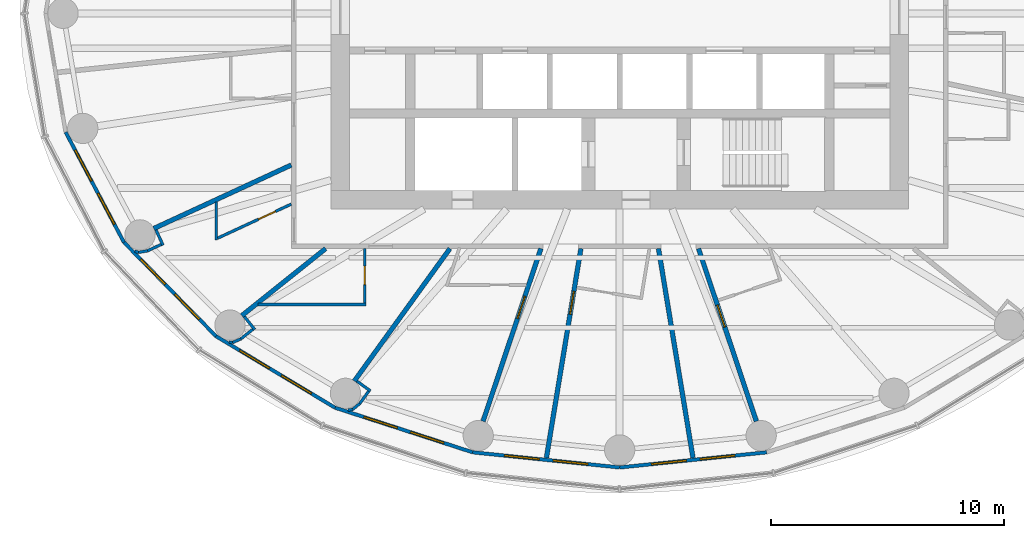
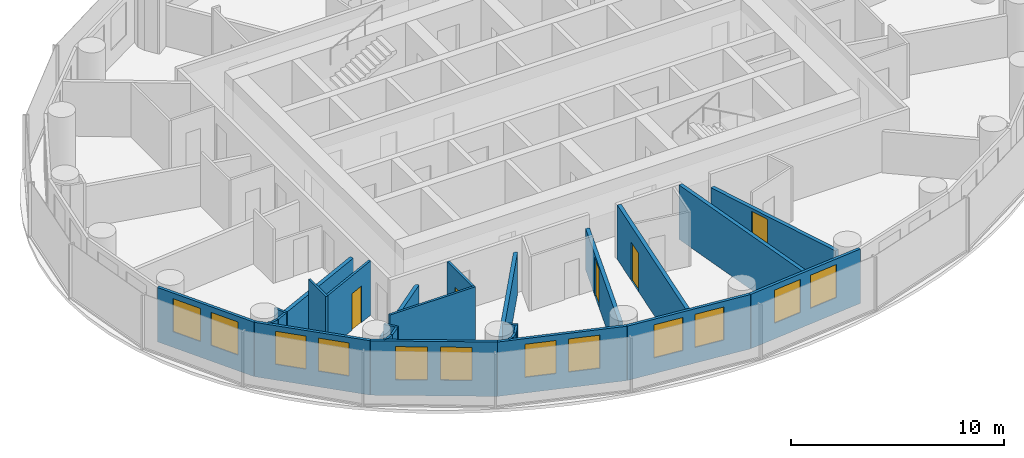
# One storey, part 6 of 14: 29 walls, 12 windows, 5 doors, 17 openings.
"""IFC4 building model written with IfcOpenShell, lengths in metres."""

from ifc_helpers import new_model, si_unit, direction, frame, frame_2d, origin, place, context, subcontext, project, spatial, rectangle, extrude, material, layer, layer_set, type_object, element, fill, save


model = new_model("IFC4")

# Units and contexts
model_context = context("Model", 3, precision=1e-05, world=origin(), true_north=direction((0.0, 1.0)))
body_context = subcontext(model_context, "Body", "Model", "MODEL_VIEW")
ifc_project = project(units=[si_unit("LENGTHUNIT", "METRE"), si_unit("AREAUNIT", "SQUARE_METRE"), si_unit("VOLUMEUNIT", "CUBIC_METRE"), si_unit("PLANEANGLEUNIT", "RADIAN"), si_unit("MASSUNIT", "GRAM", prefix="KILO")], contexts=[model_context])

# Site, building, storey
site_placement = place(None, origin())
site = spatial("IfcSite", under=ifc_project, at=site_placement, CompositionType="ELEMENT")
building_placement = place(site_placement, origin())
building = spatial("IfcBuilding", under=site, at=building_placement, Name="Hankou Lantern Tower", CompositionType="ELEMENT")
storey_placement = place(building_placement, frame((0.0, 0.0, 112.199951171875)))
storey = spatial("IfcBuildingStorey", under=building, at=storey_placement, Name="L28", CompositionType="ELEMENT", Elevation=112.199951171875)

# Wall, openings, windows
ifc_material_1 = material(Name="Aluminium spandrel panel on steel studs", Category="steel")
ifc_layer_1 = layer(ifc_material_1, 0.14990234375)
ifc_layer_set_1 = layer_set([ifc_layer_1], Name="Aluminium spandrel panel on steel studs")
wall_type_1 = type_object("IfcWallType", Name="EW1 INNER SKIN WALL 150", PredefinedType="ELEMENTEDWALL", material=ifc_layer_set_1)
wall_1_placement = place(storey_placement, frame((-23.7919921875, -5.10009765625, 0.0), z_axis=(0.0, 0.0, 1.0), x_axis=(0.467814388454, -0.883826735257, 0.0)))
wall_1 = element("IfcWall", 1, at=wall_1_placement, inside=storey, type_object=wall_type_1, Name="Inner skin R14-R15 L28", PredefinedType="ELEMENTEDWALL", context=body_context, shape_type="SweptSolid", body=[
    extrude(rectangle(XDim=5.35400390625, YDim=0.14990234375, at=frame_2d((2.677001953125, 0.0))), origin(), (0.0, 0.0, 1.0), 3.1201171875),
])
opening_1_placement = place(wall_1_placement, frame((0.876953125, 0.0, 0.89990234375)))
opening_1 = element("IfcOpeningElement", 2, at=opening_1_placement, cuts=wall_1, Name="Opening W2", PredefinedType="OPENING", context=body_context, shape_type="SweptSolid", body=[
    extrude(rectangle(XDim=1.5, YDim=1.89990234375, at=frame_2d((0.75, 0.949951171875))), frame((0.0, 0.0849609375, 0.0), z_axis=(0.0, -1.0, 0.0), x_axis=(1.0, 0.0, 0.0)), (0.0, 0.0, 1.0), 0.169921875),
])
opening_2_placement = place(wall_1_placement, frame((2.97705078125, 0.0, 0.89990234375)))
opening_2 = element("IfcOpeningElement", 3, at=opening_2_placement, cuts=wall_1, Name="Opening W2", PredefinedType="OPENING", context=body_context, shape_type="SweptSolid", body=[
    extrude(rectangle(XDim=1.5, YDim=1.89990234375, at=frame_2d((0.75, 0.949951171875))), frame((0.0, 0.0849609375, 0.0), z_axis=(0.0, -1.0, 0.0), x_axis=(1.0, 0.0, 0.0)), (0.0, 0.0, 1.0), 0.169921875),
])
ifc_material_2 = material(Name="Aluminium framed double glazed window", Category="aluminium")
window_type = type_object("IfcWindowType", Name="W2 GUEST ROOM WINDOW 1500X1900", PartitioningType="DOUBLE_PANEL_VERTICAL", PredefinedType="WINDOW", material=ifc_material_2)
window_1_placement = place(opening_1_placement, origin())
window_1 = element("IfcWindow", 4, at=window_1_placement, inside=storey, type_object=window_type, Name="Window R14.1 L28", OverallHeight=1.89990234375, OverallWidth=1.5, PartitioningType="SINGLE_PANEL", PredefinedType="WINDOW", context=body_context, shape_type="SweptSolid", body=[
    extrude(rectangle(XDim=1.5, YDim=1.89990234375, at=frame_2d((0.75, 0.949951171875))), frame((0.0, 0.030029296875, 0.0), z_axis=(0.0, -1.0, 0.0), x_axis=(1.0, 0.0, 0.0)), (0.0, 0.0, 1.0), 0.06005859375),
])
fill(opening_1, window_1)
window_2_placement = place(opening_2_placement, origin())
window_2 = element("IfcWindow", 5, at=window_2_placement, inside=storey, type_object=window_type, Name="Window R14.2 L28", OverallHeight=1.89990234375, OverallWidth=1.5, PartitioningType="SINGLE_PANEL", PredefinedType="WINDOW", context=body_context, shape_type="SweptSolid", body=[
    extrude(rectangle(XDim=1.5, YDim=1.89990234375, at=frame_2d((0.75, 0.949951171875))), frame((0.0, 0.030029296875, 0.0), z_axis=(0.0, -1.0, 0.0), x_axis=(1.0, 0.0, 0.0)), (0.0, 0.0, 1.0), 0.06005859375),
])
fill(opening_2, window_2)

wall_2_placement = place(storey_placement, frame((-21.287353515625, -9.83203125, 0.0), z_axis=(0.0, 0.0, 1.0), x_axis=(0.700136650834, -0.714008872605, 0.0)))
wall_2 = element("IfcWall", 6, at=wall_2_placement, inside=storey, type_object=wall_type_1, Name="Inner skin R15-R16 L28", PredefinedType="ELEMENTEDWALL", context=body_context, shape_type="SweptSolid", body=[
    extrude(rectangle(XDim=5.6494140625, YDim=0.14990234375, at=frame_2d((2.82470703125, 0.0))), origin(), (0.0, 0.0, 1.0), 3.1201171875),
])
opening_3_placement = place(wall_2_placement, frame((1.024658203125, 0.0, 0.89990234375)))
opening_3 = element("IfcOpeningElement", 7, at=opening_3_placement, cuts=wall_2, Name="Opening W2", PredefinedType="OPENING", context=body_context, shape_type="SweptSolid", body=[
    extrude(rectangle(XDim=1.5, YDim=1.89990234375, at=frame_2d((0.75, 0.949951171875))), frame((0.0, 0.0849609375, 0.0), z_axis=(0.0, -1.0, 0.0), x_axis=(1.0, 0.0, 0.0)), (0.0, 0.0, 1.0), 0.169921875),
])
opening_4_placement = place(wall_2_placement, frame((3.12451171875, 0.0, 0.89990234375)))
opening_4 = element("IfcOpeningElement", 8, at=opening_4_placement, cuts=wall_2, Name="Opening W2", PredefinedType="OPENING", context=body_context, shape_type="SweptSolid", body=[
    extrude(rectangle(XDim=1.5, YDim=1.89990234375, at=frame_2d((0.75, 0.949951171875))), frame((0.0, 0.0849609375, 0.0), z_axis=(0.0, -1.0, 0.0), x_axis=(1.0, 0.0, 0.0)), (0.0, 0.0, 1.0), 0.169921875),
])
window_3_placement = place(opening_3_placement, origin())
window_3 = element("IfcWindow", 9, at=window_3_placement, inside=storey, type_object=window_type, Name="Window R15.1 L28", OverallHeight=1.89990234375, OverallWidth=1.5, PartitioningType="SINGLE_PANEL", PredefinedType="WINDOW", context=body_context, shape_type="SweptSolid", body=[
    extrude(rectangle(XDim=1.5, YDim=1.89990234375, at=frame_2d((0.75, 0.949951171875))), frame((0.0, 0.030029296875, 0.0), z_axis=(0.0, -1.0, 0.0), x_axis=(1.0, 0.0, 0.0)), (0.0, 0.0, 1.0), 0.06005859375),
])
fill(opening_3, window_3)
window_4_placement = place(opening_4_placement, origin())
window_4 = element("IfcWindow", 10, at=window_4_placement, inside=storey, type_object=window_type, Name="Window R15.2 L28", OverallHeight=1.89990234375, OverallWidth=1.5, PartitioningType="SINGLE_PANEL", PredefinedType="WINDOW", context=body_context, shape_type="SweptSolid", body=[
    extrude(rectangle(XDim=1.5, YDim=1.89990234375, at=frame_2d((0.75, 0.949951171875))), frame((0.0, 0.030029296875, 0.0), z_axis=(0.0, -1.0, 0.0), x_axis=(1.0, 0.0, 0.0)), (0.0, 0.0, 1.0), 0.06005859375),
])
fill(opening_4, window_4)

wall_3_placement = place(storey_placement, frame((-17.33203125, -13.86572265625, 0.0), z_axis=(0.0, 0.0, 1.0), x_axis=(0.857308573723, -0.514802884044, 0.0)))
wall_3 = element("IfcWall", 11, at=wall_3_placement, inside=storey, type_object=wall_type_1, Name="Inner skin R16-R17 L28", PredefinedType="ELEMENTEDWALL", context=body_context, shape_type="SweptSolid", body=[
    extrude(rectangle(XDim=5.961181640625, YDim=0.14990234375, at=frame_2d((2.98046875, 0.0))), origin(), (0.0, 0.0, 1.0), 3.1201171875),
])
opening_5_placement = place(wall_3_placement, frame((1.1806640625, 0.0, 0.89990234375)))
opening_5 = element("IfcOpeningElement", 12, at=opening_5_placement, cuts=wall_3, Name="Opening W2", PredefinedType="OPENING", context=body_context, shape_type="SweptSolid", body=[
    extrude(rectangle(XDim=1.5, YDim=1.89990234375, at=frame_2d((0.75, 0.949951171875))), frame((0.0, 0.0849609375, 0.0), z_axis=(0.0, -1.0, 0.0), x_axis=(1.0, 0.0, 0.0)), (0.0, 0.0, 1.0), 0.169921875),
])
opening_6_placement = place(wall_3_placement, frame((3.280517578125, 0.0, 0.89990234375)))
opening_6 = element("IfcOpeningElement", 13, at=opening_6_placement, cuts=wall_3, Name="Opening W2", PredefinedType="OPENING", context=body_context, shape_type="SweptSolid", body=[
    extrude(rectangle(XDim=1.5, YDim=1.89990234375, at=frame_2d((0.75, 0.949951171875))), frame((0.0, 0.0849609375, 0.0), z_axis=(0.0, -1.0, 0.0), x_axis=(1.0, 0.0, 0.0)), (0.0, 0.0, 1.0), 0.169921875),
])
window_5_placement = place(opening_5_placement, origin())
window_5 = element("IfcWindow", 14, at=window_5_placement, inside=storey, type_object=window_type, Name="Window R16.1 L28", OverallHeight=1.89990234375, OverallWidth=1.5, PartitioningType="SINGLE_PANEL", PredefinedType="WINDOW", context=body_context, shape_type="SweptSolid", body=[
    extrude(rectangle(XDim=1.5, YDim=1.89990234375, at=frame_2d((0.75, 0.949951171875))), frame((0.0, 0.030029296875, 0.0), z_axis=(0.0, -1.0, 0.0), x_axis=(1.0, 0.0, 0.0)), (0.0, 0.0, 1.0), 0.06005859375),
])
fill(opening_5, window_5)
window_6_placement = place(opening_6_placement, origin())
window_6 = element("IfcWindow", 15, at=window_6_placement, inside=storey, type_object=window_type, Name="Window R16.2 L28", OverallHeight=1.89990234375, OverallWidth=1.5, PartitioningType="SINGLE_PANEL", PredefinedType="WINDOW", context=body_context, shape_type="SweptSolid", body=[
    extrude(rectangle(XDim=1.5, YDim=1.89990234375, at=frame_2d((0.75, 0.949951171875))), frame((0.0, 0.030029296875, 0.0), z_axis=(0.0, -1.0, 0.0), x_axis=(1.0, 0.0, 0.0)), (0.0, 0.0, 1.0), 0.06005859375),
])
fill(opening_6, window_6)

wall_4_placement = place(storey_placement, frame((-12.221435546875, -16.9345703125, 0.0), z_axis=(0.0, 0.0, 1.0), x_axis=(0.951272691506, -0.308350881944, 0.0)))
wall_4 = element("IfcWall", 16, at=wall_4_placement, inside=storey, type_object=wall_type_1, Name="Inner skin R17-R18 L28", PredefinedType="ELEMENTEDWALL", context=body_context, shape_type="SweptSolid", body=[
    extrude(rectangle(XDim=6.210693359375, YDim=0.14990234375, at=frame_2d((3.10546875, 0.0))), origin(), (0.0, 0.0, 1.0), 3.1201171875),
])
opening_7_placement = place(wall_4_placement, frame((1.305419921875, 0.0, 0.89990234375)))
opening_7 = element("IfcOpeningElement", 17, at=opening_7_placement, cuts=wall_4, Name="Opening W2", PredefinedType="OPENING", context=body_context, shape_type="SweptSolid", body=[
    extrude(rectangle(XDim=1.5, YDim=1.89990234375, at=frame_2d((0.75, 0.949951171875))), frame((0.0, 0.0849609375, 0.0), z_axis=(0.0, -1.0, 0.0), x_axis=(1.0, 0.0, 0.0)), (0.0, 0.0, 1.0), 0.169921875),
])
opening_8_placement = place(wall_4_placement, frame((3.4052734375, 0.0, 0.89990234375)))
opening_8 = element("IfcOpeningElement", 18, at=opening_8_placement, cuts=wall_4, Name="Opening W2", PredefinedType="OPENING", context=body_context, shape_type="SweptSolid", body=[
    extrude(rectangle(XDim=1.5, YDim=1.89990234375, at=frame_2d((0.75, 0.949951171875))), frame((0.0, 0.0849609375, 0.0), z_axis=(0.0, -1.0, 0.0), x_axis=(1.0, 0.0, 0.0)), (0.0, 0.0, 1.0), 0.169921875),
])
window_7_placement = place(opening_7_placement, origin())
window_7 = element("IfcWindow", 19, at=window_7_placement, inside=storey, type_object=window_type, Name="Window R17.1 L28", OverallHeight=1.89990234375, OverallWidth=1.5, PartitioningType="SINGLE_PANEL", PredefinedType="WINDOW", context=body_context, shape_type="SweptSolid", body=[
    extrude(rectangle(XDim=1.5, YDim=1.89990234375, at=frame_2d((0.75, 0.949951171875))), frame((0.0, 0.030029296875, 0.0), z_axis=(0.0, -1.0, 0.0), x_axis=(1.0, 0.0, 0.0)), (0.0, 0.0, 1.0), 0.06005859375),
])
fill(opening_7, window_7)
window_8_placement = place(opening_8_placement, origin())
window_8 = element("IfcWindow", 20, at=window_8_placement, inside=storey, type_object=window_type, Name="Window R17.2 L28", OverallHeight=1.89990234375, OverallWidth=1.5, PartitioningType="SINGLE_PANEL", PredefinedType="WINDOW", context=body_context, shape_type="SweptSolid", body=[
    extrude(rectangle(XDim=1.5, YDim=1.89990234375, at=frame_2d((0.75, 0.949951171875))), frame((0.0, 0.030029296875, 0.0), z_axis=(0.0, -1.0, 0.0), x_axis=(1.0, 0.0, 0.0)), (0.0, 0.0, 1.0), 0.06005859375),
])
fill(opening_8, window_8)

wall_5_placement = place(storey_placement, frame((-6.3134765625, -18.849609375, 0.0), z_axis=(0.0, 0.0, 1.0), x_axis=(0.994735690163, -0.102473931887, 0.0)))
wall_5 = element("IfcWall", 21, at=wall_5_placement, inside=storey, type_object=wall_type_1, Name="Inner skin R18-R19 L28", PredefinedType="ELEMENTEDWALL", context=body_context, shape_type="SweptSolid", body=[
    extrude(rectangle(XDim=6.346923828125, YDim=0.14990234375, at=frame_2d((3.17333984375, 0.0))), origin(), (0.0, 0.0, 1.0), 3.1201171875),
])
opening_9_placement = place(wall_5_placement, frame((1.373291015625, 0.0, 0.89990234375)))
opening_9 = element("IfcOpeningElement", 22, at=opening_9_placement, cuts=wall_5, Name="Opening W2", PredefinedType="OPENING", context=body_context, shape_type="SweptSolid", body=[
    extrude(rectangle(XDim=1.5, YDim=1.89990234375, at=frame_2d((0.75, 0.949951171875))), frame((0.0, 0.0849609375, 0.0), z_axis=(0.0, -1.0, 0.0), x_axis=(1.0, 0.0, 0.0)), (0.0, 0.0, 1.0), 0.169921875),
])
opening_10_placement = place(wall_5_placement, frame((3.473388671875, 0.0, 0.89990234375)))
opening_10 = element("IfcOpeningElement", 23, at=opening_10_placement, cuts=wall_5, Name="Opening W2", PredefinedType="OPENING", context=body_context, shape_type="SweptSolid", body=[
    extrude(rectangle(XDim=1.5, YDim=1.89990234375, at=frame_2d((0.75, 0.949951171875))), frame((0.0, 0.0849609375, 0.0), z_axis=(0.0, -1.0, 0.0), x_axis=(1.0, 0.0, 0.0)), (0.0, 0.0, 1.0), 0.169921875),
])
window_9_placement = place(opening_9_placement, origin())
window_9 = element("IfcWindow", 24, at=window_9_placement, inside=storey, type_object=window_type, Name="Window R18.1 L28", OverallHeight=1.89990234375, OverallWidth=1.5, PartitioningType="SINGLE_PANEL", PredefinedType="WINDOW", context=body_context, shape_type="SweptSolid", body=[
    extrude(rectangle(XDim=1.5, YDim=1.89990234375, at=frame_2d((0.75, 0.949951171875))), frame((0.0, 0.030029296875, 0.0), z_axis=(0.0, -1.0, 0.0), x_axis=(1.0, 0.0, 0.0)), (0.0, 0.0, 1.0), 0.06005859375),
])
fill(opening_9, window_9)
window_10_placement = place(opening_10_placement, origin())
window_10 = element("IfcWindow", 25, at=window_10_placement, inside=storey, type_object=window_type, Name="Window R18.2 L28", OverallHeight=1.89990234375, OverallWidth=1.5, PartitioningType="SINGLE_PANEL", PredefinedType="WINDOW", context=body_context, shape_type="SweptSolid", body=[
    extrude(rectangle(XDim=1.5, YDim=1.89990234375, at=frame_2d((0.75, 0.949951171875))), frame((0.0, 0.030029296875, 0.0), z_axis=(0.0, -1.0, 0.0), x_axis=(1.0, 0.0, 0.0)), (0.0, 0.0, 1.0), 0.06005859375),
])
fill(opening_10, window_10)

wall_6_placement = place(storey_placement, frame((0.0, -19.5, 0.0), z_axis=(0.0, 0.0, 1.0), x_axis=(0.994735690163, 0.102473931887, 0.0)))
wall_6 = element("IfcWall", 26, at=wall_6_placement, inside=storey, type_object=wall_type_1, Name="Inner skin R19-R20 L28", PredefinedType="ELEMENTEDWALL", context=body_context, shape_type="SweptSolid", body=[
    extrude(rectangle(XDim=6.346923828125, YDim=0.14990234375, at=frame_2d((3.17333984375, 0.0))), origin(), (0.0, 0.0, 1.0), 3.1201171875),
])
opening_11_placement = place(wall_6_placement, frame((1.373291015625, 0.0, 0.89990234375)))
opening_11 = element("IfcOpeningElement", 27, at=opening_11_placement, cuts=wall_6, Name="Opening W2", PredefinedType="OPENING", context=body_context, shape_type="SweptSolid", body=[
    extrude(rectangle(XDim=1.5, YDim=1.89990234375, at=frame_2d((0.75, 0.949951171875))), frame((0.0, 0.0849609375, 0.0), z_axis=(0.0, -1.0, 0.0), x_axis=(1.0, 0.0, 0.0)), (0.0, 0.0, 1.0), 0.169921875),
])
opening_12_placement = place(wall_6_placement, frame((3.473388671875, 0.0, 0.89990234375)))
opening_12 = element("IfcOpeningElement", 28, at=opening_12_placement, cuts=wall_6, Name="Opening W2", PredefinedType="OPENING", context=body_context, shape_type="SweptSolid", body=[
    extrude(rectangle(XDim=1.5, YDim=1.89990234375, at=frame_2d((0.75, 0.949951171875))), frame((0.0, 0.0849609375, 0.0), z_axis=(0.0, -1.0, 0.0), x_axis=(1.0, 0.0, 0.0)), (0.0, 0.0, 1.0), 0.169921875),
])
window_11_placement = place(opening_11_placement, origin())
window_11 = element("IfcWindow", 29, at=window_11_placement, inside=storey, type_object=window_type, Name="Window R19.1 L28", OverallHeight=1.89990234375, OverallWidth=1.5, PartitioningType="SINGLE_PANEL", PredefinedType="WINDOW", context=body_context, shape_type="SweptSolid", body=[
    extrude(rectangle(XDim=1.5, YDim=1.89990234375, at=frame_2d((0.75, 0.949951171875))), frame((0.0, 0.030029296875, 0.0), z_axis=(0.0, -1.0, 0.0), x_axis=(1.0, 0.0, 0.0)), (0.0, 0.0, 1.0), 0.06005859375),
])
fill(opening_11, window_11)
window_12_placement = place(opening_12_placement, origin())
window_12 = element("IfcWindow", 30, at=window_12_placement, inside=storey, type_object=window_type, Name="Window R19.2 L28", OverallHeight=1.89990234375, OverallWidth=1.5, PartitioningType="SINGLE_PANEL", PredefinedType="WINDOW", context=body_context, shape_type="SweptSolid", body=[
    extrude(rectangle(XDim=1.5, YDim=1.89990234375, at=frame_2d((0.75, 0.949951171875))), frame((0.0, 0.030029296875, 0.0), z_axis=(0.0, -1.0, 0.0), x_axis=(1.0, 0.0, 0.0)), (0.0, 0.0, 1.0), 0.06005859375),
])
fill(opening_12, window_12)

# Walls
ifc_material_3 = material(Name="Masonry lightweight concrete block", Category="masonry")
ifc_layer_2 = layer(ifc_material_3, 0.199951171875)
ifc_layer_set_2 = layer_set([ifc_layer_2], Name="Masonry lightweight concrete block")
wall_type_2 = type_object("IfcWallType", Name="IW1 GUEST ROOM PARTY WALL 200", PredefinedType="PARTITIONING", material=ifc_layer_set_2)
wall_7_placement = place(storey_placement, frame((-14.10009765625, -6.512451171875, 0.0), z_axis=(0.0, 0.0, 1.0), x_axis=(-0.907833019998, -0.419331858797, 0.0)))
element("IfcWall", 31, at=wall_7_placement, inside=storey, type_object=wall_type_2, Name="Party wall R15", PredefinedType="PARTITIONING", context=body_context, shape_type="SweptSolid", body=[
    extrude(rectangle(XDim=6.505126953125, YDim=0.199951171875, at=frame_2d((3.25244140625, 0.0))), origin(), (0.0, 0.0, 1.0), 2.27001953125),
])
wall_8_placement = place(storey_placement, frame((-12.625, -10.10009765625, 0.0), z_axis=(0.0, 0.0, 1.0), x_axis=(-0.780863644897, -0.624701503182, 0.0)))
element("IfcWall", 32, at=wall_8_placement, inside=storey, type_object=wall_type_2, Name="Party wall R16", PredefinedType="PARTITIONING", context=body_context, shape_type="SweptSolid", body=[
    extrude(rectangle(XDim=4.612060546875, YDim=0.199951171875, at=frame_2d((2.30615234375, 0.0))), origin(), (0.0, 0.0, 1.0), 2.3701171875),
])
wall_9_placement = place(storey_placement, frame((-7.2890625, -10.10009765625, 0.0), z_axis=(0.0, 0.0, 1.0), x_axis=(-0.585217367024, -0.81087645997, 0.0)))
element("IfcWall", 33, at=wall_9_placement, inside=storey, type_object=wall_type_2, Name="Party wall R17", PredefinedType="PARTITIONING", context=body_context, shape_type="SweptSolid", body=[
    extrude(rectangle(XDim=7.01611328125, YDim=0.199951171875, at=frame_2d((3.508056640625, 0.0))), origin(), (0.0, 0.0, 1.0), 2.3701171875),
])

# Wall, opening, door
ifc_material_4 = material(Name="Masonry lightweight concrete block", Category="masonry")
ifc_layer_3 = layer(ifc_material_4, 0.199951171875)
ifc_layer_set_3 = layer_set([ifc_layer_3], Name="Masonry lightweight concrete block")
wall_type_3 = type_object("IfcWallType", Name="IW2 CORRIDOR WALL 200", PredefinedType="PARTITIONING", material=ifc_layer_set_3)
wall_10_placement = place(storey_placement, frame((-3.3828125, -10.10009765625, 0.0), z_axis=(0.0, 0.0, 1.0), x_axis=(-0.317603705574, -0.948223542318, 0.0)))
wall_10 = element("IfcWall", 34, at=wall_10_placement, inside=storey, type_object=wall_type_3, Name="Corridor spur wall R18", PredefinedType="PARTITIONING", context=body_context, shape_type="SweptSolid", body=[
    extrude(rectangle(XDim=7.822998046875, YDim=0.199951171875, at=frame_2d((3.91162109375, 0.0))), origin(), (0.0, 0.0, 1.0), 2.3701171875),
])
opening_13_placement = place(wall_10_placement, frame((2.168212890625, 0.0, 0.0)))
opening_13 = element("IfcOpeningElement", 35, at=opening_13_placement, cuts=wall_10, Name="Opening D1", PredefinedType="OPENING", context=body_context, shape_type="SweptSolid", body=[
    extrude(rectangle(XDim=1.0, YDim=2.199951171875, at=frame_2d((0.5, 1.10009765625))), frame((0.0, 0.10986328125, 0.0), z_axis=(0.0, -1.0, 0.0), x_axis=(1.0, 0.0, 0.0)), (0.0, 0.0, 1.0), 0.219970703125),
])
ifc_material_5 = material(Name="Steel door leaf", Category="steel")
door_type_1 = type_object("IfcDoorType", Name="D1 GUEST ROOM DOOR 1000X2200", OperationType="SINGLE_SWING_LEFT", PredefinedType="DOOR", material=ifc_material_5)
door_1_placement = place(opening_13_placement, origin())
door_1 = element("IfcDoor", 36, at=door_1_placement, inside=storey, type_object=door_type_1, Name="Guest room door 2811", OperationType="SINGLE_SWING_LEFT", OverallHeight=2.199951171875, OverallWidth=1.0, PredefinedType="DOOR", context=body_context, shape_type="SweptSolid", body=[
    extrude(rectangle(XDim=1.0, YDim=2.199951171875, at=frame_2d((0.5, 1.10009765625))), frame((0.0, 0.02490234375, 0.0), z_axis=(0.0, -1.0, 0.0), x_axis=(1.0, 0.0, 0.0)), (0.0, 0.0, 1.0), 0.050048828125),
])
fill(opening_13, door_1)

wall_11_placement = place(storey_placement, frame((-1.665283203125, -10.10009765625, 0.0), z_axis=(0.0, 0.0, 1.0), x_axis=(-0.162660519103, -0.986682094459, 0.0)))
wall_11 = element("IfcWall", 37, at=wall_11_placement, inside=storey, type_object=wall_type_3, Name="Corridor spur wall R18-R19", PredefinedType="PARTITIONING", context=body_context, shape_type="SweptSolid", body=[
    extrude(rectangle(XDim=9.110595703125, YDim=0.199951171875, at=frame_2d((4.55517578125, 0.0))), origin(), (0.0, 0.0, 1.0), 3.1201171875),
])
opening_14_placement = place(wall_11_placement, frame((1.860107421875, 0.0, 0.0)))
opening_14 = element("IfcOpeningElement", 38, at=opening_14_placement, cuts=wall_11, Name="Opening D1", PredefinedType="OPENING", context=body_context, shape_type="SweptSolid", body=[
    extrude(rectangle(XDim=1.0, YDim=2.199951171875, at=frame_2d((0.5, 1.10009765625))), frame((0.0, 0.10986328125, 0.0), z_axis=(0.0, -1.0, 0.0), x_axis=(1.0, 0.0, 0.0)), (0.0, 0.0, 1.0), 0.219970703125),
])
door_2_placement = place(opening_14_placement, origin())
door_2 = element("IfcDoor", 39, at=door_2_placement, inside=storey, type_object=door_type_1, Name="Guest room door 2813", OperationType="SINGLE_SWING_LEFT", OverallHeight=2.199951171875, OverallWidth=1.0, PredefinedType="DOOR", context=body_context, shape_type="SweptSolid", body=[
    extrude(rectangle(XDim=1.0, YDim=2.199951171875, at=frame_2d((0.5, 1.10009765625))), frame((0.0, 0.02490234375, 0.0), z_axis=(0.0, -1.0, 0.0), x_axis=(1.0, 0.0, 0.0)), (0.0, 0.0, 1.0), 0.050048828125),
])
fill(opening_14, door_2)

# Wall
wall_12_placement = place(storey_placement, frame((1.665283203125, -10.10009765625, 0.0), z_axis=(0.0, 0.0, 1.0), x_axis=(0.162660519103, -0.986682094459, 0.0)))
element("IfcWall", 40, at=wall_12_placement, inside=storey, type_object=wall_type_3, Name="Corridor spur wall R19-R20", PredefinedType="PARTITIONING", context=body_context, shape_type="SweptSolid", body=[
    extrude(rectangle(XDim=9.110595703125, YDim=0.199951171875, at=frame_2d((4.55517578125, 0.0))), origin(), (0.0, 0.0, 1.0), 3.1201171875),
])

# Wall, opening, door
wall_13_placement = place(storey_placement, frame((3.3828125, -10.10009765625, 0.0), z_axis=(0.0, 0.0, 1.0), x_axis=(0.317603705574, -0.948223542318, 0.0)))
wall_13 = element("IfcWall", 41, at=wall_13_placement, inside=storey, type_object=wall_type_3, Name="Corridor spur wall R20", PredefinedType="PARTITIONING", context=body_context, shape_type="SweptSolid", body=[
    extrude(rectangle(XDim=7.822998046875, YDim=0.199951171875, at=frame_2d((3.91162109375, 0.0))), origin(), (0.0, 0.0, 1.0), 2.3701171875),
])
opening_15_placement = place(wall_13_placement, frame((2.56005859375, 0.0, 0.0)))
opening_15 = element("IfcOpeningElement", 42, at=opening_15_placement, cuts=wall_13, Name="Opening D2", PredefinedType="OPENING", context=body_context, shape_type="SweptSolid", body=[
    extrude(rectangle(XDim=1.0, YDim=2.199951171875, at=frame_2d((0.5, 1.10009765625))), frame((0.0, 0.10986328125, 0.0), z_axis=(0.0, -1.0, 0.0), x_axis=(1.0, 0.0, 0.0)), (0.0, 0.0, 1.0), 0.219970703125),
])
ifc_material_6 = material(Name="Steel door leaf", Category="steel")
door_type_2 = type_object("IfcDoorType", Name="D2 SUITE DOOR 1000X2200", OperationType="SINGLE_SWING_LEFT", PredefinedType="DOOR", material=ifc_material_6)
door_3_placement = place(opening_15_placement, origin())
door_3 = element("IfcDoor", 43, at=door_3_placement, inside=storey, type_object=door_type_2, Name="Suite door 2815", OperationType="SINGLE_SWING_LEFT", OverallHeight=2.199951171875, OverallWidth=1.0, PredefinedType="DOOR", context=body_context, shape_type="SweptSolid", body=[
    extrude(rectangle(XDim=1.0, YDim=2.199951171875, at=frame_2d((0.5, 1.10009765625))), frame((0.0, 0.02490234375, 0.0), z_axis=(0.0, -1.0, 0.0), x_axis=(1.0, 0.0, 0.0)), (0.0, 0.0, 1.0), 0.050048828125),
])
fill(opening_15, door_3)

# Wall
ifc_material_7 = material(Name="Masonry lightweight concrete block", Category="masonry")
ifc_layer_4 = layer(ifc_material_7, 0.1201171875)
ifc_layer_set_4 = layer_set([ifc_layer_4], Name="Masonry lightweight concrete block")
wall_type_4 = type_object("IfcWallType", Name="IW3 BATHROOM WALL 120", PredefinedType="PARTITIONING", material=ifc_layer_set_4)
wall_14_placement = place(storey_placement, frame((-17.32275390625, -8.10107421875, 0.0), z_axis=(0.0, 0.0, 1.0), x_axis=(0.0, -1.0, 0.0)))
element("IfcWall", 44, at=wall_14_placement, inside=storey, type_object=wall_type_4, Name="Box wall 2809 1", PredefinedType="PARTITIONING", context=body_context, shape_type="SweptSolid", body=[
    extrude(rectangle(XDim=1.639892578125, YDim=0.1201171875, at=frame_2d((0.81982421875, 0.0))), origin(), (0.0, 0.0, 1.0), 3.1201171875),
])

# Wall, opening, door
wall_15_placement = place(storey_placement, frame((-14.10009765625, -8.192626953125, 0.0), z_axis=(0.0, 0.0, 1.0), x_axis=(-0.907836493557, -0.419324338628, 0.0)))
wall_15 = element("IfcWall", 45, at=wall_15_placement, inside=storey, type_object=wall_type_4, Name="Box wall 2809 1", PredefinedType="PARTITIONING", context=body_context, shape_type="SweptSolid", body=[
    extrude(rectangle(XDim=3.48974609375, YDim=0.1201171875, at=frame_2d((1.744873046875, 0.0))), origin(), (0.0, 0.0, 1.0), 3.1201171875),
])
opening_16_placement = place(wall_15_placement, frame((0.75, 0.0, 0.0)))
opening_16 = element("IfcOpeningElement", 46, at=opening_16_placement, cuts=wall_15, Name="Opening D3", PredefinedType="OPENING", context=body_context, shape_type="SweptSolid", body=[
    extrude(rectangle(XDim=0.800048828125, YDim=2.10009765625, at=frame_2d((0.39990234375, 1.050048828125))), frame((0.0, 0.070068359375, 0.0), z_axis=(0.0, -1.0, 0.0), x_axis=(1.0, 0.0, 0.0)), (0.0, 0.0, 1.0), 0.14013671875),
])
ifc_material_8 = material(Name="Timber door leaf", Category="wood")
door_type_3 = type_object("IfcDoorType", Name="D3 BATHROOM DOOR 800X2100", OperationType="SINGLE_SWING_LEFT", PredefinedType="DOOR", material=ifc_material_8)
door_4_placement = place(opening_16_placement, origin())
door_4 = element("IfcDoor", 47, at=door_4_placement, inside=storey, type_object=door_type_3, Name="En-suite bathroom 2809 door", OperationType="SINGLE_SWING_LEFT", OverallHeight=2.10009765625, OverallWidth=0.800048828125, PredefinedType="DOOR", context=body_context, shape_type="SweptSolid", body=[
    extrude(rectangle(XDim=0.800048828125, YDim=2.10009765625, at=frame_2d((0.39990234375, 1.050048828125))), frame((0.0, 0.02490234375, 0.0), z_axis=(0.0, -1.0, 0.0), x_axis=(1.0, 0.0, 0.0)), (0.0, 0.0, 1.0), 0.050048828125),
])
fill(opening_16, door_4)

# Wall
wall_16_placement = place(storey_placement, frame((-15.52490234375, -12.5, 0.0), z_axis=(0.0, 0.0, 1.0), x_axis=(1.0, 0.0, 0.0)))
element("IfcWall", 48, at=wall_16_placement, inside=storey, type_object=wall_type_4, Name="Box wall 2810 1", PredefinedType="PARTITIONING", context=body_context, shape_type="SweptSolid", body=[
    extrude(rectangle(XDim=4.639892578125, YDim=0.1201171875, at=frame_2d((2.31982421875, 0.0))), origin(), (0.0, 0.0, 1.0), 3.1201171875),
])

# Wall, opening, door
wall_17_placement = place(storey_placement, frame((-10.945068359375, -10.10009765625, 0.0), z_axis=(0.0, 0.0, 1.0), x_axis=(0.0, -1.0, 0.0)))
wall_17 = element("IfcWall", 49, at=wall_17_placement, inside=storey, type_object=wall_type_4, Name="Box wall 2810 1", PredefinedType="PARTITIONING", context=body_context, shape_type="SweptSolid", body=[
    extrude(rectangle(XDim=2.33984375, YDim=0.1201171875, at=frame_2d((1.169921875, 0.0))), origin(), (0.0, 0.0, 1.0), 3.1201171875),
])
opening_17_placement = place(wall_17_placement, frame((0.75, 0.0, 0.0)))
opening_17 = element("IfcOpeningElement", 50, at=opening_17_placement, cuts=wall_17, Name="Opening D3", PredefinedType="OPENING", context=body_context, shape_type="SweptSolid", body=[
    extrude(rectangle(XDim=0.800048828125, YDim=2.10009765625, at=frame_2d((0.39990234375, 1.050048828125))), frame((0.0, 0.070068359375, 0.0), z_axis=(0.0, -1.0, 0.0), x_axis=(1.0, 0.0, 0.0)), (0.0, 0.0, 1.0), 0.14013671875),
])
door_5_placement = place(opening_17_placement, origin())
door_5 = element("IfcDoor", 51, at=door_5_placement, inside=storey, type_object=door_type_3, Name="En-suite bathroom 2810 door", OperationType="SINGLE_SWING_LEFT", OverallHeight=2.10009765625, OverallWidth=0.800048828125, PredefinedType="DOOR", context=body_context, shape_type="SweptSolid", body=[
    extrude(rectangle(XDim=0.800048828125, YDim=2.10009765625, at=frame_2d((0.39990234375, 1.050048828125))), frame((0.0, 0.02490234375, 0.0), z_axis=(0.0, -1.0, 0.0), x_axis=(1.0, 0.0, 0.0)), (0.0, 0.0, 1.0), 0.050048828125),
])
fill(opening_17, door_5)

# Walls
ifc_material_9 = material(Name="Masonry lightweight concrete block", Category="masonry")
ifc_layer_5 = layer(ifc_material_9, 0.1201171875)
ifc_layer_set_5 = layer_set([ifc_layer_5], Name="Masonry lightweight concrete block")
wall_type_5 = type_object("IfcWallType", Name="IW4 PARTITION 120", PredefinedType="PARTITIONING", material=ifc_layer_set_5)
wall_18_placement = place(storey_placement, frame((-19.9091796875, -9.305908203125, 0.0), z_axis=(0.0, 0.0, 1.0), x_axis=(0.419296148934, -0.90784951368, 0.0)))
element("IfcWall", 52, at=wall_18_placement, inside=storey, type_object=wall_type_5, Name="Column casing R15 return", PredefinedType="PARTITIONING", context=body_context, shape_type="SweptSolid", body=[
    extrude(rectangle(XDim=0.715576171875, YDim=0.1201171875, at=frame_2d((0.35791015625, 0.0))), origin(), (0.0, 0.0, 1.0), 3.1201171875),
])
wall_19_placement = place(storey_placement, frame((-19.688720703125, -9.92626953125, 0.0), z_axis=(0.0, 0.0, 1.0), x_axis=(-0.907893409272, -0.419201094227, 0.0)))
element("IfcWall", 53, at=wall_19_placement, inside=storey, type_object=wall_type_5, Name="Column casing R15", PredefinedType="PARTITIONING", context=body_context, shape_type="SweptSolid", body=[
    extrude(rectangle(XDim=0.64990234375, YDim=0.1201171875, at=frame_2d((0.324951171875, 0.0))), origin(), (0.0, 0.0, 1.0), 3.1201171875),
])
wall_20_placement = place(storey_placement, frame((-20.27880859375, -10.19873046875, 0.0), z_axis=(0.0, 0.0, 1.0), x_axis=(-0.985380740712, -0.170366651181, 0.0)))
element("IfcWall", 54, at=wall_20_placement, inside=storey, type_object=wall_type_5, Name="Column casing R15", PredefinedType="PARTITIONING", context=body_context, shape_type="SweptSolid", body=[
    extrude(rectangle(XDim=0.39111328125, YDim=0.1201171875, at=frame_2d((0.195556640625, 0.0))), origin(), (0.0, 0.0, 1.0), 3.1201171875),
])
wall_21_placement = place(storey_placement, frame((-20.664306640625, -10.265380859375, 0.0), z_axis=(0.0, 0.0, 1.0), x_axis=(-0.938058651481, 0.346476501918, 0.0)))
element("IfcWall", 55, at=wall_21_placement, inside=storey, type_object=wall_type_5, Name="Column casing R15", PredefinedType="PARTITIONING", context=body_context, shape_type="SweptSolid", body=[
    extrude(rectangle(XDim=0.161376953125, YDim=0.1201171875, at=frame_2d((0.08056640625, 0.0))), origin(), (0.0, 0.0, 1.0), 3.1201171875),
])
wall_22_placement = place(storey_placement, frame((-16.116943359375, -13.021728515625, 0.0), z_axis=(0.0, 0.0, 1.0), x_axis=(0.62465344249, -0.780902091677, 0.0)))
element("IfcWall", 56, at=wall_22_placement, inside=storey, type_object=wall_type_5, Name="Column casing R16 return", PredefinedType="PARTITIONING", context=body_context, shape_type="SweptSolid", body=[
    extrude(rectangle(XDim=0.715576171875, YDim=0.1201171875, at=frame_2d((0.35791015625, 0.0))), origin(), (0.0, 0.0, 1.0), 3.1201171875),
])
wall_23_placement = place(storey_placement, frame((-15.754150390625, -13.5712890625, 0.0), z_axis=(0.0, 0.0, 1.0), x_axis=(-0.780905453553, -0.624649239663, 0.0)))
element("IfcWall", 57, at=wall_23_placement, inside=storey, type_object=wall_type_5, Name="Column casing R16", PredefinedType="PARTITIONING", context=body_context, shape_type="SweptSolid", body=[
    extrude(rectangle(XDim=0.64990234375, YDim=0.1201171875, at=frame_2d((0.324951171875, 0.0))), origin(), (0.0, 0.0, 1.0), 3.1201171875),
])
wall_24_placement = place(storey_placement, frame((-16.26171875, -13.977294921875, 0.0), z_axis=(0.0, 0.0, 1.0), x_axis=(-0.915985403703, -0.401211590314, 0.0)))
element("IfcWall", 58, at=wall_24_placement, inside=storey, type_object=wall_type_5, Name="Column casing R16", PredefinedType="PARTITIONING", context=body_context, shape_type="SweptSolid", body=[
    extrude(rectangle(XDim=0.391357421875, YDim=0.1201171875, at=frame_2d((0.19580078125, 0.0))), origin(), (0.0, 0.0, 1.0), 3.1201171875),
])
wall_25_placement = place(storey_placement, frame((-16.6201171875, -14.13427734375, 0.0), z_axis=(0.0, 0.0, 1.0), x_axis=(-0.993941871493, 0.109907033867, 0.0)))
element("IfcWall", 59, at=wall_25_placement, inside=storey, type_object=wall_type_5, Name="Column casing R16", PredefinedType="PARTITIONING", context=body_context, shape_type="SweptSolid", body=[
    extrude(rectangle(XDim=0.1533203125, YDim=0.1201171875, at=frame_2d((0.07666015625, 0.0))), origin(), (0.0, 0.0, 1.0), 3.1201171875),
])
wall_26_placement = place(storey_placement, frame((-11.27880859375, -15.799072265625, 0.0), z_axis=(0.0, 0.0, 1.0), x_axis=(0.810912957127, -0.585166793285, 0.0)))
element("IfcWall", 60, at=wall_26_placement, inside=storey, type_object=wall_type_5, Name="Column casing R17 return", PredefinedType="PARTITIONING", context=body_context, shape_type="SweptSolid", body=[
    extrude(rectangle(XDim=0.7158203125, YDim=0.1201171875, at=frame_2d((0.35791015625, 0.0))), origin(), (0.0, 0.0, 1.0), 3.1201171875),
])
wall_27_placement = place(storey_placement, frame((-10.781982421875, -16.2314453125, 0.0), z_axis=(0.0, 0.0, 1.0), x_axis=(-0.585175102182, -0.810906961239, 0.0)))
element("IfcWall", 61, at=wall_27_placement, inside=storey, type_object=wall_type_5, Name="Column casing R17", PredefinedType="PARTITIONING", context=body_context, shape_type="SweptSolid", body=[
    extrude(rectangle(XDim=0.64990234375, YDim=0.1201171875, at=frame_2d((0.324951171875, 0.0))), origin(), (0.0, 0.0, 1.0), 3.1201171875),
])
wall_28_placement = place(storey_placement, frame((-11.162353515625, -16.758544921875, 0.0), z_axis=(0.0, 0.0, 1.0), x_axis=(-0.775178428527, -0.63174235567, 0.0)))
element("IfcWall", 62, at=wall_28_placement, inside=storey, type_object=wall_type_5, Name="Column casing R17", PredefinedType="PARTITIONING", context=body_context, shape_type="SweptSolid", body=[
    extrude(rectangle(XDim=0.3916015625, YDim=0.1201171875, at=frame_2d((0.19580078125, 0.0))), origin(), (0.0, 0.0, 1.0), 3.1201171875),
])
wall_29_placement = place(storey_placement, frame((-11.4658203125, -17.005859375, 0.0), z_axis=(0.0, 0.0, 1.0), x_axis=(-0.987228877621, -0.15930832744, 0.0)))
element("IfcWall", 63, at=wall_29_placement, inside=storey, type_object=wall_type_5, Name="Column casing R17", PredefinedType="PARTITIONING", context=body_context, shape_type="SweptSolid", body=[
    extrude(rectangle(XDim=0.202392578125, YDim=0.1201171875, at=frame_2d((0.10107421875, 0.0))), origin(), (0.0, 0.0, 1.0), 3.1201171875),
])

save(model, "model.ifc")
